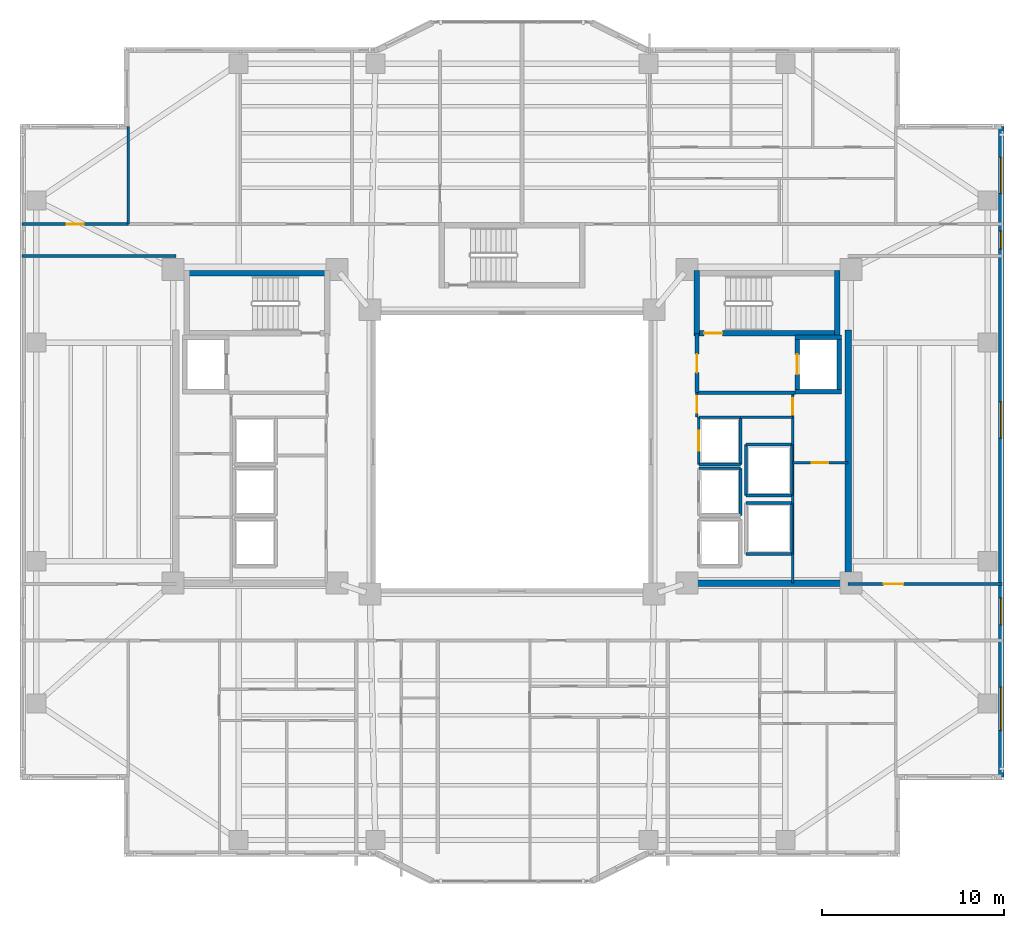
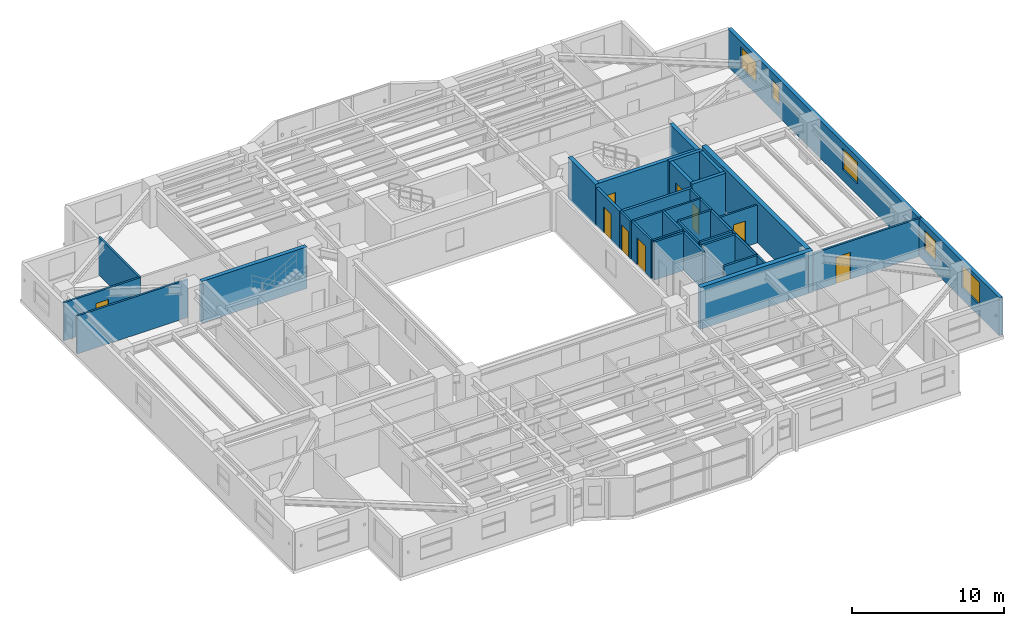
# One storey, part 9 of 18: 34 walls, 9 doors, 5 windows, 14 openings.
"""IFC4 building model written with IfcOpenShell, lengths in metres."""

from ifc_helpers import new_model, si_unit, direction, frame, frame_2d, origin, place, context, subcontext, project, spatial, rectangle, extrude, material, layer, layer_set, type_object, element, fill, save


model = new_model("IFC4")

# Units and contexts
model_context = context("Model", 3, precision=1e-05, world=origin(), true_north=direction((0.0, 1.0)))
body_context = subcontext(model_context, "Body", "Model", "MODEL_VIEW")
ifc_project = project(units=[si_unit("LENGTHUNIT", "METRE"), si_unit("AREAUNIT", "SQUARE_METRE"), si_unit("VOLUMEUNIT", "CUBIC_METRE"), si_unit("PLANEANGLEUNIT", "RADIAN"), si_unit("MASSUNIT", "GRAM", prefix="KILO")], contexts=[model_context])

# Site, building, storey
site_placement = place(None, origin())
site = spatial("IfcSite", under=ifc_project, at=site_placement, CompositionType="ELEMENT")
building_placement = place(site_placement, origin())
building = spatial("IfcBuilding", under=site, at=building_placement, Name="Tarnavaz Court Tower", CompositionType="ELEMENT")
storey_placement = place(building_placement, frame((0.0, 0.0, 115.14990234375)))
storey = spatial("IfcBuildingStorey", under=building, at=storey_placement, Name="L31", CompositionType="ELEMENT", Elevation=115.14990234375)

# Wall, opening, door
ifc_material_1 = material(Name="Concrete C60/75", Category="concrete")
ifc_layer_1 = layer(ifc_material_1, 0.25)
ifc_layer_set_1 = layer_set([ifc_layer_1], Name="Concrete C60/75")
wall_type_1 = type_object("IfcWallType", Name="WL-CORE-250-C60", PredefinedType="SHEAR", material=ifc_layer_set_1)
wall_1_placement = place(storey_placement, frame((15.64990234375, 3.175048828125, 0.0), z_axis=(0.0, 0.0, 1.0), x_axis=(0.0, 1.0, 0.0)))
wall_1 = element("IfcWall", 1, at=wall_1_placement, inside=storey, type_object=wall_type_1, Name="L31 Lift FL-E1 Shaft Wall 033", PredefinedType="SHEAR", context=body_context, shape_type="SweptSolid", body=[
    extrude(rectangle(XDim=3.25, YDim=0.25, at=frame_2d((1.625, 0.0))), origin(), (0.0, 0.0, 1.0), 3.35009765625),
])
opening_1_placement = place(wall_1_placement, frame((1.074951171875, 0.0, 0.0)))
opening_1 = element("IfcOpeningElement", 2, at=opening_1_placement, cuts=wall_1, Name="Opening LD1", PredefinedType="OPENING", context=body_context, shape_type="SweptSolid", body=[
    extrude(rectangle(XDim=1.10009765625, YDim=2.14990234375, at=frame_2d((0.550048828125, 1.074951171875))), frame((0.0, 0.135009765625, 0.0), z_axis=(0.0, -1.0, 0.0), x_axis=(1.0, 0.0, 0.0)), (0.0, 0.0, 1.0), 0.27001953125),
])
ifc_material_2 = material(Name="Stainless Steel", Category="steel")
door_type_1 = type_object("IfcDoorType", Name="DR-LD-1100", OperationType="NOTDEFINED", PredefinedType="DOOR", material=ifc_material_2)
door_1_placement = place(opening_1_placement, origin())
door_1 = element("IfcDoor", 3, at=door_1_placement, inside=storey, type_object=door_type_1, Name="L31 Lift Landing Door LD-FL-E1", OperationType="SLIDING_TO_LEFT", OverallHeight=2.14990234375, OverallWidth=1.10009765625, PredefinedType="DOOR", context=body_context, shape_type="SweptSolid", body=[
    extrude(rectangle(XDim=1.10009765625, YDim=2.14990234375, at=frame_2d((0.550048828125, 1.074951171875))), frame((0.0, 0.02490234375, 0.0), z_axis=(0.0, -1.0, 0.0), x_axis=(1.0, 0.0, 0.0)), (0.0, 0.0, 1.0), 0.050048828125),
])
fill(opening_1, door_1)

# Walls
wall_2_placement = place(storey_placement, frame((17.949951171875, 3.175048828125, 0.0), z_axis=(0.0, 0.0, 1.0), x_axis=(0.0, 1.0, 0.0)))
element("IfcWall", 4, at=wall_2_placement, inside=storey, type_object=wall_type_1, Name="L31 Lift FL-E1 Shaft Wall 034", PredefinedType="SHEAR", context=body_context, shape_type="SweptSolid", body=[
    extrude(rectangle(XDim=3.25, YDim=0.25, at=frame_2d((1.625, 0.0))), origin(), (0.0, 0.0, 1.0), 3.35009765625),
])
for number, where, z_axis, x_axis, name in (
    (5, (15.52490234375, 3.300048828125, 0.0), (0.0, 0.0, 1.0), (1.0, 0.0, 0.0), "L31 Lift FL-E1 Shaft Wall 035"),
    (6, (15.52490234375, 6.300048828125, 0.0), (0.0, 0.0, 1.0), (1.0, 0.0, 0.0), "L31 Lift FL-E1 Shaft Wall 036"),
):
    element("IfcWall", number, at=place(storey_placement, frame(where, z_axis=z_axis, x_axis=x_axis)), inside=storey, type_object=wall_type_1, Name=name, PredefinedType="SHEAR", context=body_context, shape_type="SweptSolid", body=[
        extrude(rectangle(XDim=2.550048828125, YDim=0.25, at=frame_2d((1.27490234375, 0.0))), origin(), (0.0, 0.0, 1.0), 3.35009765625),
    ])
ifc_layer_2 = layer(ifc_material_1, 0.300048828125)
ifc_layer_set_2 = layer_set([ifc_layer_2], Name="Concrete C60/75")
wall_type_2 = type_object("IfcWallType", Name="WL-CORE-300-C60", PredefinedType="SHEAR", material=ifc_layer_set_2)
wall_3_placement = place(storey_placement, frame((-18.0, 9.7900390625, 0.0), z_axis=(0.0, 0.0, 1.0), x_axis=(1.0, 0.0, 0.0)))
element("IfcWall", 7, at=wall_3_placement, inside=storey, type_object=wall_type_2, Name="L31 West Stair Core Wall 001", PredefinedType="SHEAR", context=body_context, shape_type="SweptSolid", body=[
    extrude(rectangle(XDim=8.0, YDim=0.300048828125, at=frame_2d((4.0, 0.0))), origin(), (0.0, 0.0, 1.0), 3.35009765625),
])

# Wall, opening, door
wall_4_placement = place(storey_placement, frame((10.0, 6.5, 0.0), z_axis=(0.0, 0.0, 1.0), x_axis=(1.0, 0.0, 0.0)))
wall_4 = element("IfcWall", 8, at=wall_4_placement, inside=storey, type_object=wall_type_2, Name="L31 East Stair Core Wall 006", PredefinedType="SHEAR", context=body_context, shape_type="SweptSolid", body=[
    extrude(rectangle(XDim=8.0, YDim=0.300048828125, at=frame_2d((4.0, 0.0))), origin(), (0.0, 0.0, 1.0), 3.35009765625),
])
opening_2_placement = place(wall_4_placement, frame((0.550048828125, 0.0, 0.0)))
opening_2 = element("IfcOpeningElement", 9, at=opening_2_placement, cuts=wall_4, Name="Opening D01", PredefinedType="OPENING", context=body_context, shape_type="SweptSolid", body=[
    extrude(rectangle(XDim=1.0, YDim=2.14990234375, at=frame_2d((0.5, 1.074951171875))), frame((0.0, 0.159912109375, 0.0), z_axis=(0.0, -1.0, 0.0), x_axis=(1.0, 0.0, 0.0)), (0.0, 0.0, 1.0), 0.320068359375),
])
ifc_material_3 = material(Name="Fire-Rated Hardwood Timber Core", Category="wood")
door_type_2 = type_object("IfcDoorType", Name="DR-FD90-1000", OperationType="NOTDEFINED", PredefinedType="DOOR", material=ifc_material_3)
door_2_placement = place(opening_2_placement, origin())
door_2 = element("IfcDoor", 10, at=door_2_placement, inside=storey, type_object=door_type_2, Name="L31 Stair ST-E1 Exit Door", OperationType="SINGLE_SWING_RIGHT", OverallHeight=2.14990234375, OverallWidth=1.0, PredefinedType="DOOR", context=body_context, shape_type="SweptSolid", body=[
    extrude(rectangle(XDim=1.0, YDim=2.14990234375, at=frame_2d((0.5, 1.074951171875))), frame((0.0, 0.02490234375, 0.0), z_axis=(0.0, -1.0, 0.0), x_axis=(1.0, 0.0, 0.0)), (0.0, 0.0, 1.0), 0.050048828125),
])
fill(opening_2, door_2)

# Walls
for number, where, z_axis, x_axis, name in (
    (11, (10.14990234375, 6.35009765625, 0.0), (0.0, 0.0, 1.0), (0.0, 1.0, 0.0), "L31 East Stair Core Wall 007"),
    (12, (17.85009765625, 6.35009765625, 0.0), (0.0, 0.0, 1.0), (0.0, 1.0, 0.0), "L31 East Stair Core Wall 008"),
):
    element("IfcWall", number, at=place(storey_placement, frame(where, z_axis=z_axis, x_axis=x_axis)), inside=storey, type_object=wall_type_2, Name=name, PredefinedType="SHEAR", context=body_context, shape_type="SweptSolid", body=[
        extrude(rectangle(XDim=3.58984375, YDim=0.300048828125, at=frame_2d((1.794921875, 0.0))), origin(), (0.0, 0.0, 1.0), 3.35009765625),
    ])
ifc_layer_3 = layer(ifc_material_1, 0.35009765625)
ifc_layer_set_3 = layer_set([ifc_layer_3], Name="Concrete C60/75")
wall_type_3 = type_object("IfcWallType", Name="WL-CORE-350-C60", PredefinedType="SHEAR", material=ifc_layer_set_3)
wall_5_placement = place(storey_placement, frame((18.449951171875, -7.375, 0.0), z_axis=(0.0, 0.0, 1.0), x_axis=(0.0, 1.0, 0.0)))
element("IfcWall", 13, at=wall_5_placement, inside=storey, type_object=wall_type_3, Name="L31 East Core Shear Wall 059", PredefinedType="SHEAR", context=body_context, shape_type="SweptSolid", body=[
    extrude(rectangle(XDim=14.050048828125, YDim=0.35009765625, at=frame_2d((7.02490234375, 0.0))), origin(), (0.0, 0.0, 1.0), 3.35009765625),
])
wall_6_placement = place(storey_placement, frame((10.074951171875, -7.199951171875, 0.0), z_axis=(0.0, 0.0, 1.0), x_axis=(1.0, 0.0, 0.0)))
element("IfcWall", 14, at=wall_6_placement, inside=storey, type_object=wall_type_3, Name="L31 East Core South Shear Wall 060", PredefinedType="SHEAR", context=body_context, shape_type="SweptSolid", body=[
    extrude(rectangle(XDim=8.550048828125, YDim=0.35009765625, at=frame_2d((4.27490234375, 0.0))), origin(), (0.0, 0.0, 1.0), 3.35009765625),
])

# Wall, openings, windows
ifc_material_4 = material(Name="Precast Concrete C40/50", Category="concrete")
ifc_layer_4 = layer(ifc_material_4, 0.280029296875)
ifc_layer_set_4 = layer_set([ifc_layer_4], Name="Precast Concrete C40/50")
wall_type_4 = type_object("IfcWallType", Name="WL-EXT-280", PredefinedType="SOLIDWALL", material=ifc_layer_set_4)
wall_7_placement = place(storey_placement, frame((26.85009765625, 17.85009765625, 0.0), z_axis=(0.0, 0.0, 1.0), x_axis=(0.0, -1.0, 0.0)))
wall_7 = element("IfcWall", 15, at=wall_7_placement, inside=storey, type_object=wall_type_4, Name="L31 Exterior Terracotta Facade Wall 12", PredefinedType="SOLIDWALL", context=body_context, shape_type="SweptSolid", body=[
    extrude(rectangle(XDim=35.7001953125, YDim=0.280029296875, at=frame_2d((17.85009765625, 0.0))), origin(), (0.0, 0.0, 1.0), 3.050048828125),
])
opening_3_placement = place(wall_7_placement, frame((1.675048828125, 0.0, 0.89990234375)))
opening_3 = element("IfcOpeningElement", 16, at=opening_3_placement, cuts=wall_7, Name="Opening W08", PredefinedType="OPENING", context=body_context, shape_type="SweptSolid", body=[
    extrude(rectangle(XDim=2.0, YDim=1.699951171875, at=frame_2d((1.0, 0.85009765625))), frame((0.0, 0.14990234375, 0.0), z_axis=(0.0, -1.0, 0.0), x_axis=(1.0, 0.0, 0.0)), (0.0, 0.0, 1.0), 0.300048828125),
])
opening_4_placement = place(wall_7_placement, frame((5.72509765625, 0.0, 0.949951171875)))
opening_4 = element("IfcOpeningElement", 17, at=opening_4_placement, cuts=wall_7, Name="Opening W14", PredefinedType="OPENING", context=body_context, shape_type="SweptSolid", body=[
    extrude(rectangle(XDim=1.0, YDim=1.5, at=frame_2d((0.5, 0.75))), frame((0.0, 0.14990234375, 0.0), z_axis=(0.0, -1.0, 0.0), x_axis=(1.0, 0.0, 0.0)), (0.0, 0.0, 1.0), 0.300048828125),
])
opening_5_placement = place(wall_7_placement, frame((15.10009765625, 0.0, 0.89990234375)))
opening_5 = element("IfcOpeningElement", 18, at=opening_5_placement, cuts=wall_7, Name="Opening W08", PredefinedType="OPENING", context=body_context, shape_type="SweptSolid", body=[
    extrude(rectangle(XDim=2.0, YDim=1.699951171875, at=frame_2d((1.0, 0.85009765625))), frame((0.0, 0.14990234375, 0.0), z_axis=(0.0, -1.0, 0.0), x_axis=(1.0, 0.0, 0.0)), (0.0, 0.0, 1.0), 0.300048828125),
])
opening_6_placement = place(wall_7_placement, frame((25.857421875, 0.0, 0.89990234375)))
opening_6 = element("IfcOpeningElement", 19, at=opening_6_placement, cuts=wall_7, Name="Opening W03", PredefinedType="OPENING", context=body_context, shape_type="SweptSolid", body=[
    extrude(rectangle(XDim=1.5, YDim=1.64990234375, at=frame_2d((0.75, 0.824951171875))), frame((0.0, 0.14990234375, 0.0), z_axis=(0.0, -1.0, 0.0), x_axis=(1.0, 0.0, 0.0)), (0.0, 0.0, 1.0), 0.300048828125),
])
opening_7_placement = place(wall_7_placement, frame((30.75, 0.0, 0.89990234375)))
opening_7 = element("IfcOpeningElement", 20, at=opening_7_placement, cuts=wall_7, Name="Opening W06", PredefinedType="OPENING", context=body_context, shape_type="SweptSolid", body=[
    extrude(rectangle(XDim=2.39990234375, YDim=1.800048828125, at=frame_2d((1.199951171875, 0.89990234375))), frame((0.0, 0.14990234375, 0.0), z_axis=(0.0, -1.0, 0.0), x_axis=(1.0, 0.0, 0.0)), (0.0, 0.0, 1.0), 0.300048828125),
])
ifc_material_5 = material(Name="Double-Glazed Solar Low-E Glass", Category="glass")
window_type_1 = type_object("IfcWindowType", Name="WN-APT-1000", PartitioningType="SINGLE_PANEL", PredefinedType="WINDOW", material=ifc_material_5)
window_1_placement = place(opening_4_placement, origin())
window_1 = element("IfcWindow", 21, at=window_1_placement, inside=storey, type_object=window_type_1, Name="L31 North-East Corner Corridor Window", OverallHeight=1.5, OverallWidth=1.0, PartitioningType="SINGLE_PANEL", PredefinedType="WINDOW", context=body_context, shape_type="SweptSolid", body=[
    extrude(rectangle(XDim=1.0, YDim=1.5, at=frame_2d((0.5, 0.75))), frame((0.0, 0.030029296875, 0.0), z_axis=(0.0, -1.0, 0.0), x_axis=(1.0, 0.0, 0.0)), (0.0, 0.0, 1.0), 0.06005859375),
])
fill(opening_4, window_1)
window_type_2 = type_object("IfcWindowType", Name="WN-APT-1500", PartitioningType="DOUBLE_PANEL_VERTICAL", PredefinedType="WINDOW", material=ifc_material_5)
window_2_placement = place(opening_6_placement, origin())
window_2 = element("IfcWindow", 22, at=window_2_placement, inside=storey, type_object=window_type_2, Name="L31 South-East Corner Corridor Window", OverallHeight=1.64990234375, OverallWidth=1.5, PartitioningType="SINGLE_PANEL", PredefinedType="WINDOW", context=body_context, shape_type="SweptSolid", body=[
    extrude(rectangle(XDim=1.5, YDim=1.64990234375, at=frame_2d((0.75, 0.824951171875))), frame((0.0, 0.030029296875, 0.0), z_axis=(0.0, -1.0, 0.0), x_axis=(1.0, 0.0, 0.0)), (0.0, 0.0, 1.0), 0.06005859375),
])
fill(opening_6, window_2)
window_type_3 = type_object("IfcWindowType", Name="WN-APT-2000", PartitioningType="DOUBLE_PANEL_VERTICAL", PredefinedType="WINDOW", material=ifc_material_5)
window_3_placement = place(opening_3_placement, origin())
window_3 = element("IfcWindow", 23, at=window_3_placement, inside=storey, type_object=window_type_3, Name="L31 North-East Corner Sunroom Study Window", OverallHeight=1.699951171875, OverallWidth=2.0, PartitioningType="SINGLE_PANEL", PredefinedType="WINDOW", context=body_context, shape_type="SweptSolid", body=[
    extrude(rectangle(XDim=2.0, YDim=1.699951171875, at=frame_2d((1.0, 0.85009765625))), frame((0.0, 0.030029296875, 0.0), z_axis=(0.0, -1.0, 0.0), x_axis=(1.0, 0.0, 0.0)), (0.0, 0.0, 1.0), 0.06005859375),
])
fill(opening_3, window_3)
window_4_placement = place(opening_5_placement, origin())
window_4 = element("IfcWindow", 24, at=window_4_placement, inside=storey, type_object=window_type_3, Name="L31 East Wing Resident Fitness Lounge Window", OverallHeight=1.699951171875, OverallWidth=2.0, PartitioningType="SINGLE_PANEL", PredefinedType="WINDOW", context=body_context, shape_type="SweptSolid", body=[
    extrude(rectangle(XDim=2.0, YDim=1.699951171875, at=frame_2d((1.0, 0.85009765625))), frame((0.0, 0.030029296875, 0.0), z_axis=(0.0, -1.0, 0.0), x_axis=(1.0, 0.0, 0.0)), (0.0, 0.0, 1.0), 0.06005859375),
])
fill(opening_5, window_4)
window_type_4 = type_object("IfcWindowType", Name="WN-APT-2400", PartitioningType="TRIPLE_PANEL_VERTICAL", PredefinedType="WINDOW", material=ifc_material_5)
window_5_placement = place(opening_7_placement, origin())
window_5 = element("IfcWindow", 25, at=window_5_placement, inside=storey, type_object=window_type_4, Name="L31 South-East Corner Reading Room Window", OverallHeight=1.800048828125, OverallWidth=2.39990234375, PartitioningType="SINGLE_PANEL", PredefinedType="WINDOW", context=body_context, shape_type="SweptSolid", body=[
    extrude(rectangle(XDim=2.39990234375, YDim=1.800048828125, at=frame_2d((1.199951171875, 0.89990234375))), frame((0.0, 0.030029296875, 0.0), z_axis=(0.0, -1.0, 0.0), x_axis=(1.0, 0.0, 0.0)), (0.0, 0.0, 1.0), 0.06005859375),
])
fill(opening_7, window_5)

# Wall
ifc_material_6 = material(Name="Gypsum Fire-Board on Acoustic Metal Stud", Category="masonry")
ifc_layer_5 = layer(ifc_material_6, 0.14990234375)
ifc_layer_set_5 = layer_set([ifc_layer_5], Name="Gypsum Fire-Board on Acoustic Metal Stud")
wall_type_5 = type_object("IfcWallType", Name="WL-FIRE-150", PredefinedType="PARTITIONING", material=ifc_layer_set_5)
wall_8_placement = place(storey_placement, frame((-26.8798828125, 10.75, 0.0), z_axis=(0.0, 0.0, 1.0), x_axis=(1.0, 0.0, 0.0)))
element("IfcWall", 26, at=wall_8_placement, inside=storey, type_object=wall_type_5, Name="L31 Interior Partition 113", PredefinedType="PARTITIONING", context=body_context, shape_type="SweptSolid", body=[
    extrude(rectangle(XDim=8.429931640625, YDim=0.14990234375, at=frame_2d((4.21484375, 0.0))), origin(), (0.0, 0.0, 1.0), 3.050048828125),
])

# Wall, opening, door
wall_9_placement = place(storey_placement, frame((18.449951171875, -7.25, 0.0), z_axis=(0.0, 0.0, 1.0), x_axis=(1.0, 0.0, 0.0)))
wall_9 = element("IfcWall", 27, at=wall_9_placement, inside=storey, type_object=wall_type_5, Name="L31 Interior Partition 114", PredefinedType="PARTITIONING", context=body_context, shape_type="SweptSolid", body=[
    extrude(rectangle(XDim=8.429931640625, YDim=0.14990234375, at=frame_2d((4.21484375, 0.0))), origin(), (0.0, 0.0, 1.0), 3.050048828125),
])
opening_8_placement = place(wall_9_placement, frame((1.949951171875, 0.0, 0.0)))
opening_8 = element("IfcOpeningElement", 28, at=opening_8_placement, cuts=wall_9, Name="Opening D12", PredefinedType="OPENING", context=body_context, shape_type="SweptSolid", body=[
    extrude(rectangle(XDim=1.080078125, YDim=2.14990234375, at=frame_2d((0.5400390625, 1.074951171875))), frame((0.0, 0.0849609375, 0.0), z_axis=(0.0, -1.0, 0.0), x_axis=(1.0, 0.0, 0.0)), (0.0, 0.0, 1.0), 0.169921875),
])
ifc_material_7 = material(Name="Engineered Oak Timber", Category="wood")
door_type_3 = type_object("IfcDoorType", Name="DR-INT-1100", OperationType="NOTDEFINED", PredefinedType="DOOR", material=ifc_material_7)
door_3_placement = place(opening_8_placement, origin())
door_3 = element("IfcDoor", 29, at=door_3_placement, inside=storey, type_object=door_type_3, Name="L31 East Fitness Lounge Door", OperationType="SINGLE_SWING_LEFT", OverallHeight=2.14990234375, OverallWidth=1.080078125, PredefinedType="DOOR", context=body_context, shape_type="SweptSolid", body=[
    extrude(rectangle(XDim=1.080078125, YDim=2.14990234375, at=frame_2d((0.5400390625, 1.074951171875))), frame((0.0, 0.02490234375, 0.0), z_axis=(0.0, -1.0, 0.0), x_axis=(1.0, 0.0, 0.0)), (0.0, 0.0, 1.0), 0.050048828125),
])
fill(opening_8, door_3)

wall_10_placement = place(storey_placement, frame((-26.8798828125, 12.5, 0.0), z_axis=(0.0, 0.0, 1.0), x_axis=(1.0, 0.0, 0.0)))
wall_10 = element("IfcWall", 30, at=wall_10_placement, inside=storey, type_object=wall_type_5, Name="L31 Interior Partition 120", PredefinedType="PARTITIONING", context=body_context, shape_type="SweptSolid", body=[
    extrude(rectangle(XDim=5.829833984375, YDim=0.14990234375, at=frame_2d((2.9150390625, 0.0))), origin(), (0.0, 0.0, 1.0), 3.050048828125),
])
opening_9_placement = place(wall_10_placement, frame((2.43994140625, 0.0, 0.0)))
opening_9 = element("IfcOpeningElement", 31, at=opening_9_placement, cuts=wall_10, Name="Opening D13", PredefinedType="OPENING", context=body_context, shape_type="SweptSolid", body=[
    extrude(rectangle(XDim=0.949951171875, YDim=2.14990234375, at=frame_2d((0.47509765625, 1.074951171875))), frame((0.0, 0.0849609375, 0.0), z_axis=(0.0, -1.0, 0.0), x_axis=(1.0, 0.0, 0.0)), (0.0, 0.0, 1.0), 0.169921875),
])
door_type_4 = type_object("IfcDoorType", Name="DR-INT-950", OperationType="NOTDEFINED", PredefinedType="DOOR", material=ifc_material_7)
door_4_placement = place(opening_9_placement, origin())
door_4 = element("IfcDoor", 32, at=door_4_placement, inside=storey, type_object=door_type_4, Name="L31 NW Sunroom Door", OperationType="SINGLE_SWING_RIGHT", OverallHeight=2.14990234375, OverallWidth=0.949951171875, PredefinedType="DOOR", context=body_context, shape_type="SweptSolid", body=[
    extrude(rectangle(XDim=0.949951171875, YDim=2.14990234375, at=frame_2d((0.47509765625, 1.074951171875))), frame((0.0, 0.02490234375, 0.0), z_axis=(0.0, -1.0, 0.0), x_axis=(1.0, 0.0, 0.0)), (0.0, 0.0, 1.0), 0.050048828125),
])
fill(opening_9, door_4)

# Wall
ifc_material_8 = material(Name="Autoclaved Aerated Concrete Blockwork", Category="masonry")
ifc_layer_6 = layer(ifc_material_8, 0.199951171875)
ifc_layer_set_6 = layer_set([ifc_layer_6], Name="Autoclaved Aerated Concrete Blockwork")
wall_type_6 = type_object("IfcWallType", Name="WL-FIRE-200", PredefinedType="SOLIDWALL", material=ifc_layer_set_6)
wall_11_placement = place(storey_placement, frame((10.14990234375, 3.25, 0.0), z_axis=(0.0, 0.0, 1.0), x_axis=(1.0, 0.0, 0.0)))
element("IfcWall", 33, at=wall_11_placement, inside=storey, type_object=wall_type_6, Name="L31 East Firefighting Lobby Wall 015", PredefinedType="SOLIDWALL", context=body_context, shape_type="SweptSolid", body=[
    extrude(rectangle(XDim=5.400146484375, YDim=0.199951171875, at=frame_2d((2.7001953125, 0.0))), origin(), (0.0, 0.0, 1.0), 3.050048828125),
])

# Wall, opening, door
wall_12_placement = place(storey_placement, frame((10.14990234375, 3.25, 0.0), z_axis=(0.0, 0.0, 1.0), x_axis=(0.0, 1.0, 0.0)))
wall_12 = element("IfcWall", 34, at=wall_12_placement, inside=storey, type_object=wall_type_6, Name="L31 East Firefighting Lobby Wall 016", PredefinedType="SOLIDWALL", context=body_context, shape_type="SweptSolid", body=[
    extrude(rectangle(XDim=3.25, YDim=0.199951171875, at=frame_2d((1.625, 0.0))), origin(), (0.0, 0.0, 1.0), 3.050048828125),
])
opening_10_placement = place(wall_12_placement, frame((1.10009765625, 0.0, 0.0)))
opening_10 = element("IfcOpeningElement", 35, at=opening_10_placement, cuts=wall_12, Name="Opening D05", PredefinedType="OPENING", context=body_context, shape_type="SweptSolid", body=[
    extrude(rectangle(XDim=1.02001953125, YDim=2.14990234375, at=frame_2d((0.510009765625, 1.074951171875))), frame((0.0, 0.10986328125, 0.0), z_axis=(0.0, -1.0, 0.0), x_axis=(1.0, 0.0, 0.0)), (0.0, 0.0, 1.0), 0.219970703125),
])
door_type_5 = type_object("IfcDoorType", Name="DR-FD60-1000", OperationType="NOTDEFINED", PredefinedType="DOOR", material=ifc_material_3)
door_5_placement = place(opening_10_placement, origin())
door_5 = element("IfcDoor", 36, at=door_5_placement, inside=storey, type_object=door_type_5, Name="L31 East Firefighting Lobby Door", OperationType="SINGLE_SWING_LEFT", OverallHeight=2.14990234375, OverallWidth=1.02001953125, PredefinedType="DOOR", context=body_context, shape_type="SweptSolid", body=[
    extrude(rectangle(XDim=1.02001953125, YDim=2.14990234375, at=frame_2d((0.510009765625, 1.074951171875))), frame((0.0, 0.02490234375, 0.0), z_axis=(0.0, -1.0, 0.0), x_axis=(1.0, 0.0, 0.0)), (0.0, 0.0, 1.0), 0.050048828125),
])
fill(opening_10, door_5)

# Wall
ifc_material_9 = material(Name="Gypsum Plasterboard Acoustic Partition", Category="masonry")
ifc_layer_7 = layer(ifc_material_9, 0.139892578125)
ifc_layer_set_7 = layer_set([ifc_layer_7], Name="Gypsum Plasterboard Acoustic Partition")
wall_type_7 = type_object("IfcWallType", Name="WL-PART-150", PredefinedType="PARTITIONING", material=ifc_layer_set_7)
wall_13_placement = place(storey_placement, frame((12.550048828125, 1.89990234375, 0.0), z_axis=(0.0, 0.0, 1.0), x_axis=(1.0, 0.0, 0.0)))
element("IfcWall", 37, at=wall_13_placement, inside=storey, type_object=wall_type_7, Name="L31 Interior Partition 068", PredefinedType="PARTITIONING", context=body_context, shape_type="SweptSolid", body=[
    extrude(rectangle(XDim=2.849853515625, YDim=0.139892578125, at=frame_2d((1.4248046875, 0.0))), origin(), (0.0, 0.0, 1.0), 3.050048828125),
])

# Wall, opening, door
wall_14_placement = place(storey_placement, frame((10.14990234375, 1.919921875, 0.0), z_axis=(0.0, 0.0, 1.0), x_axis=(0.0, 1.0, 0.0)))
wall_14 = element("IfcWall", 38, at=wall_14_placement, inside=storey, type_object=wall_type_7, Name="L31 Interior Partition 069", PredefinedType="PARTITIONING", context=body_context, shape_type="SweptSolid", body=[
    extrude(rectangle(XDim=1.330078125, YDim=0.139892578125, at=frame_2d((0.6650390625, 0.0))), origin(), (0.0, 0.0, 1.0), 3.050048828125),
])
opening_11_placement = place(wall_14_placement, frame((0.219970703125, 0.0, 0.0)))
opening_11 = element("IfcOpeningElement", 39, at=opening_11_placement, cuts=wall_14, Name="Opening D09", PredefinedType="OPENING", context=body_context, shape_type="SweptSolid", body=[
    extrude(rectangle(XDim=0.89990234375, YDim=2.080078125, at=frame_2d((0.449951171875, 1.0400390625))), frame((0.0, 0.079833984375, 0.0), z_axis=(0.0, -1.0, 0.0), x_axis=(1.0, 0.0, 0.0)), (0.0, 0.0, 1.0), 0.159912109375),
])
door_type_6 = type_object("IfcDoorType", Name="DR-FD30-900", OperationType="NOTDEFINED", PredefinedType="DOOR", material=ifc_material_3)
door_6_placement = place(opening_11_placement, origin())
door_6 = element("IfcDoor", 40, at=door_6_placement, inside=storey, type_object=door_type_6, Name="L31 East Core Service Lobby Door", OperationType="SINGLE_SWING_LEFT", OverallHeight=2.080078125, OverallWidth=0.89990234375, PredefinedType="DOOR", context=body_context, shape_type="SweptSolid", body=[
    extrude(rectangle(XDim=0.89990234375, YDim=2.080078125, at=frame_2d((0.449951171875, 1.0400390625))), frame((0.0, 0.02490234375, 0.0), z_axis=(0.0, -1.0, 0.0), x_axis=(1.0, 0.0, 0.0)), (0.0, 0.0, 1.0), 0.050048828125),
])
fill(opening_11, door_6)

wall_15_placement = place(storey_placement, frame((15.39990234375, -7.199951171875, 0.0), z_axis=(0.0, 0.0, 1.0), x_axis=(0.0, 1.0, 0.0)))
wall_15 = element("IfcWall", 41, at=wall_15_placement, inside=storey, type_object=wall_type_7, Name="L31 Interior Partition 070", PredefinedType="PARTITIONING", context=body_context, shape_type="SweptSolid", body=[
    extrude(rectangle(XDim=10.449951171875, YDim=0.139892578125, at=frame_2d((5.22509765625, 0.0))), origin(), (0.0, 0.0, 1.0), 3.050048828125),
])
opening_12_placement = place(wall_15_placement, frame((9.25, 0.0, 0.0)))
opening_12 = element("IfcOpeningElement", 42, at=opening_12_placement, cuts=wall_15, Name="Opening D09", PredefinedType="OPENING", context=body_context, shape_type="SweptSolid", body=[
    extrude(rectangle(XDim=0.89990234375, YDim=2.080078125, at=frame_2d((0.449951171875, 1.0400390625))), frame((0.0, 0.079833984375, 0.0), z_axis=(0.0, -1.0, 0.0), x_axis=(1.0, 0.0, 0.0)), (0.0, 0.0, 1.0), 0.159912109375),
])
door_7_placement = place(opening_12_placement, origin())
door_7 = element("IfcDoor", 43, at=door_7_placement, inside=storey, type_object=door_type_6, Name="L31 East Wet Riser Door", OperationType="SINGLE_SWING_RIGHT", OverallHeight=2.080078125, OverallWidth=0.89990234375, PredefinedType="DOOR", context=body_context, shape_type="SweptSolid", body=[
    extrude(rectangle(XDim=0.89990234375, YDim=2.080078125, at=frame_2d((0.449951171875, 1.0400390625))), frame((0.0, 0.02490234375, 0.0), z_axis=(0.0, -1.0, 0.0), x_axis=(1.0, 0.0, 0.0)), (0.0, 0.0, 1.0), 0.050048828125),
])
fill(opening_12, door_7)

wall_16_placement = place(storey_placement, frame((15.39990234375, -0.590087890625, 0.0), z_axis=(0.0, 0.0, 1.0), x_axis=(1.0, 0.0, 0.0)))
wall_16 = element("IfcWall", 44, at=wall_16_placement, inside=storey, type_object=wall_type_7, Name="L31 Interior Partition 071", PredefinedType="PARTITIONING", context=body_context, shape_type="SweptSolid", body=[
    extrude(rectangle(XDim=3.050048828125, YDim=0.139892578125, at=frame_2d((1.52490234375, 0.0))), origin(), (0.0, 0.0, 1.0), 3.050048828125),
])
opening_13_placement = place(wall_16_placement, frame((1.050048828125, 0.0, 0.0)))
opening_13 = element("IfcOpeningElement", 45, at=opening_13_placement, cuts=wall_16, Name="Opening D09", PredefinedType="OPENING", context=body_context, shape_type="SweptSolid", body=[
    extrude(rectangle(XDim=0.89990234375, YDim=2.080078125, at=frame_2d((0.449951171875, 1.0400390625))), frame((0.0, 0.079833984375, 0.0), z_axis=(0.0, -1.0, 0.0), x_axis=(1.0, 0.0, 0.0)), (0.0, 0.0, 1.0), 0.159912109375),
])
door_8_placement = place(opening_13_placement, origin())
door_8 = element("IfcDoor", 46, at=door_8_placement, inside=storey, type_object=door_type_6, Name="L31 East Electrical Plant Door", OperationType="SINGLE_SWING_LEFT", OverallHeight=2.080078125, OverallWidth=0.89990234375, PredefinedType="DOOR", context=body_context, shape_type="SweptSolid", body=[
    extrude(rectangle(XDim=0.89990234375, YDim=2.080078125, at=frame_2d((0.449951171875, 1.0400390625))), frame((0.0, 0.02490234375, 0.0), z_axis=(0.0, -1.0, 0.0), x_axis=(1.0, 0.0, 0.0)), (0.0, 0.0, 1.0), 0.050048828125),
])
fill(opening_13, door_8)

# Walls
wall_17_placement = place(storey_placement, frame((-21.050048828125, 12.5, 0.0), z_axis=(0.0, 0.0, 1.0), x_axis=(0.0, 1.0, 0.0)))
element("IfcWall", 47, at=wall_17_placement, inside=storey, type_object=wall_type_7, Name="L31 Interior Partition 118", PredefinedType="PARTITIONING", context=body_context, shape_type="SweptSolid", body=[
    extrude(rectangle(XDim=5.35009765625, YDim=0.139892578125, at=frame_2d((2.675048828125, 0.0))), origin(), (0.0, 0.0, 1.0), 3.050048828125),
])
ifc_layer_8 = layer(ifc_material_8, 0.159912109375)
ifc_layer_set_8 = layer_set([ifc_layer_8], Name="Autoclaved Aerated Concrete Blockwork")
wall_type_8 = type_object("IfcWallType", Name="WL-SHAFT-150", PredefinedType="SOLIDWALL", material=ifc_layer_set_8)
wall_18_placement = place(storey_placement, frame((12.550048828125, -3.5, 0.0), z_axis=(0.0, 0.0, 1.0), x_axis=(0.0, 1.0, 0.0)))
element("IfcWall", 48, at=wall_18_placement, inside=storey, type_object=wall_type_8, Name="L31 Lift PL-M2 Shaft Wall 042", PredefinedType="SOLIDWALL", context=body_context, shape_type="SweptSolid", body=[
    extrude(rectangle(XDim=2.60009765625, YDim=0.159912109375, at=frame_2d((1.300048828125, 0.0))), origin(), (0.0, 0.0, 1.0), 3.050048828125),
])
wall_19_placement = place(storey_placement, frame((10.25, -0.89990234375, 0.0), z_axis=(0.0, 0.0, 1.0), x_axis=(1.0, 0.0, 0.0)))
element("IfcWall", 49, at=wall_19_placement, inside=storey, type_object=wall_type_8, Name="L31 Lift PL-M2 Shaft Wall 044", PredefinedType="SOLIDWALL", context=body_context, shape_type="SweptSolid", body=[
    extrude(rectangle(XDim=2.300048828125, YDim=0.159912109375, at=frame_2d((1.14990234375, 0.0))), origin(), (0.0, 0.0, 1.0), 3.050048828125),
])

# Wall, opening, door
wall_20_placement = place(storey_placement, frame((10.25, -0.699951171875, 0.0), z_axis=(0.0, 0.0, 1.0), x_axis=(0.0, 1.0, 0.0)))
wall_20 = element("IfcWall", 50, at=wall_20_placement, inside=storey, type_object=wall_type_8, Name="L31 Lift PL-M3 Shaft Wall 045", PredefinedType="SOLIDWALL", context=body_context, shape_type="SweptSolid", body=[
    extrude(rectangle(XDim=2.599853515625, YDim=0.159912109375, at=frame_2d((1.2998046875, 0.0))), origin(), (0.0, 0.0, 1.0), 3.050048828125),
])
opening_14_placement = place(wall_20_placement, frame((0.75, 0.0, 0.0)))
opening_14 = element("IfcOpeningElement", 51, at=opening_14_placement, cuts=wall_20, Name="Opening LD1", PredefinedType="OPENING", context=body_context, shape_type="SweptSolid", body=[
    extrude(rectangle(XDim=1.10009765625, YDim=2.14990234375, at=frame_2d((0.550048828125, 1.074951171875))), frame((0.0, 0.08984375, 0.0), z_axis=(0.0, -1.0, 0.0), x_axis=(1.0, 0.0, 0.0)), (0.0, 0.0, 1.0), 0.179931640625),
])
door_9_placement = place(opening_14_placement, origin())
door_9 = element("IfcDoor", 52, at=door_9_placement, inside=storey, type_object=door_type_1, Name="L31 Lift Landing Door LD-PL-M3", OperationType="SLIDING_TO_LEFT", OverallHeight=2.14990234375, OverallWidth=1.10009765625, PredefinedType="DOOR", context=body_context, shape_type="SweptSolid", body=[
    extrude(rectangle(XDim=1.10009765625, YDim=2.14990234375, at=frame_2d((0.550048828125, 1.074951171875))), frame((0.0, 0.02490234375, 0.0), z_axis=(0.0, -1.0, 0.0), x_axis=(1.0, 0.0, 0.0)), (0.0, 0.0, 1.0), 0.050048828125),
])
fill(opening_14, door_9)

# Walls
wall_21_placement = place(storey_placement, frame((12.550048828125, -0.699951171875, 0.0), z_axis=(0.0, 0.0, 1.0), x_axis=(0.0, 1.0, 0.0)))
element("IfcWall", 53, at=wall_21_placement, inside=storey, type_object=wall_type_8, Name="L31 Lift PL-M3 Shaft Wall 046", PredefinedType="SOLIDWALL", context=body_context, shape_type="SweptSolid", body=[
    extrude(rectangle(XDim=2.599853515625, YDim=0.159912109375, at=frame_2d((1.2998046875, 0.0))), origin(), (0.0, 0.0, 1.0), 3.050048828125),
])
for number, where, z_axis, x_axis, name in (
    (54, (10.25, -0.699951171875, 0.0), (0.0, 0.0, 1.0), (1.0, 0.0, 0.0), "L31 Lift PL-M3 Shaft Wall 047"),
    (55, (10.25, 1.89990234375, 0.0), (0.0, 0.0, 1.0), (1.0, 0.0, 0.0), "L31 Lift PL-M3 Shaft Wall 048"),
):
    element("IfcWall", number, at=place(storey_placement, frame(where, z_axis=z_axis, x_axis=x_axis)), inside=storey, type_object=wall_type_8, Name=name, PredefinedType="SOLIDWALL", context=body_context, shape_type="SweptSolid", body=[
        extrude(rectangle(XDim=2.300048828125, YDim=0.159912109375, at=frame_2d((1.14990234375, 0.0))), origin(), (0.0, 0.0, 1.0), 3.050048828125),
    ])
wall_22_placement = place(storey_placement, frame((15.35009765625, -5.60009765625, 0.0), z_axis=(0.0, 0.0, 1.0), x_axis=(0.0, 1.0, 0.0)))
element("IfcWall", 56, at=wall_22_placement, inside=storey, type_object=wall_type_8, Name="L31 Lift PL-OB1 Shaft Wall 050", PredefinedType="SOLIDWALL", context=body_context, shape_type="SweptSolid", body=[
    extrude(rectangle(XDim=2.800048828125, YDim=0.159912109375, at=frame_2d((1.39990234375, 0.0))), origin(), (0.0, 0.0, 1.0), 3.050048828125),
])
for number, where, z_axis, x_axis, name in (
    (57, (12.85009765625, -5.60009765625, 0.0), (0.0, 0.0, 1.0), (1.0, 0.0, 0.0), "L31 Lift PL-OB1 Shaft Wall 051"),
    (58, (12.85009765625, -2.800048828125, 0.0), (0.0, 0.0, 1.0), (1.0, 0.0, 0.0), "L31 Lift PL-OB1 Shaft Wall 052"),
):
    element("IfcWall", number, at=place(storey_placement, frame(where, z_axis=z_axis, x_axis=x_axis)), inside=storey, type_object=wall_type_8, Name=name, PredefinedType="SOLIDWALL", context=body_context, shape_type="SweptSolid", body=[
        extrude(rectangle(XDim=2.5, YDim=0.159912109375, at=frame_2d((1.25, 0.0))), origin(), (0.0, 0.0, 1.0), 3.050048828125),
    ])
for number, where, z_axis, x_axis, name in (
    (59, (12.85009765625, -2.39990234375, 0.0), (0.0, 0.0, 1.0), (0.0, 1.0, 0.0), "L31 Lift PL-OB2 Shaft Wall 053"),
    (60, (15.35009765625, -2.39990234375, 0.0), (0.0, 0.0, 1.0), (0.0, 1.0, 0.0), "L31 Lift PL-OB2 Shaft Wall 054"),
):
    element("IfcWall", number, at=place(storey_placement, frame(where, z_axis=z_axis, x_axis=x_axis)), inside=storey, type_object=wall_type_8, Name=name, PredefinedType="SOLIDWALL", context=body_context, shape_type="SweptSolid", body=[
        extrude(rectangle(XDim=2.7998046875, YDim=0.159912109375, at=frame_2d((1.39990234375, 0.0))), origin(), (0.0, 0.0, 1.0), 3.050048828125),
    ])
for number, where, z_axis, x_axis, name in (
    (61, (12.85009765625, -2.39990234375, 0.0), (0.0, 0.0, 1.0), (1.0, 0.0, 0.0), "L31 Lift PL-OB2 Shaft Wall 055"),
    (62, (12.85009765625, 0.39990234375, 0.0), (0.0, 0.0, 1.0), (1.0, 0.0, 0.0), "L31 Lift PL-OB2 Shaft Wall 056"),
):
    element("IfcWall", number, at=place(storey_placement, frame(where, z_axis=z_axis, x_axis=x_axis)), inside=storey, type_object=wall_type_8, Name=name, PredefinedType="SOLIDWALL", context=body_context, shape_type="SweptSolid", body=[
        extrude(rectangle(XDim=2.5, YDim=0.159912109375, at=frame_2d((1.25, 0.0))), origin(), (0.0, 0.0, 1.0), 3.050048828125),
    ])

save(model, "model.ifc")
